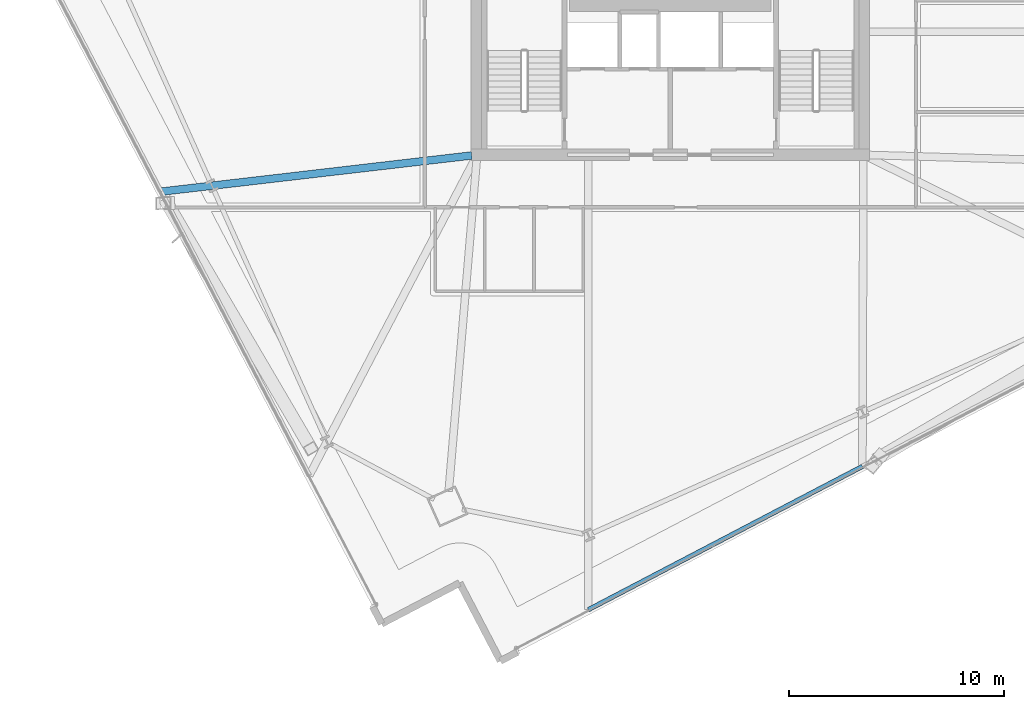
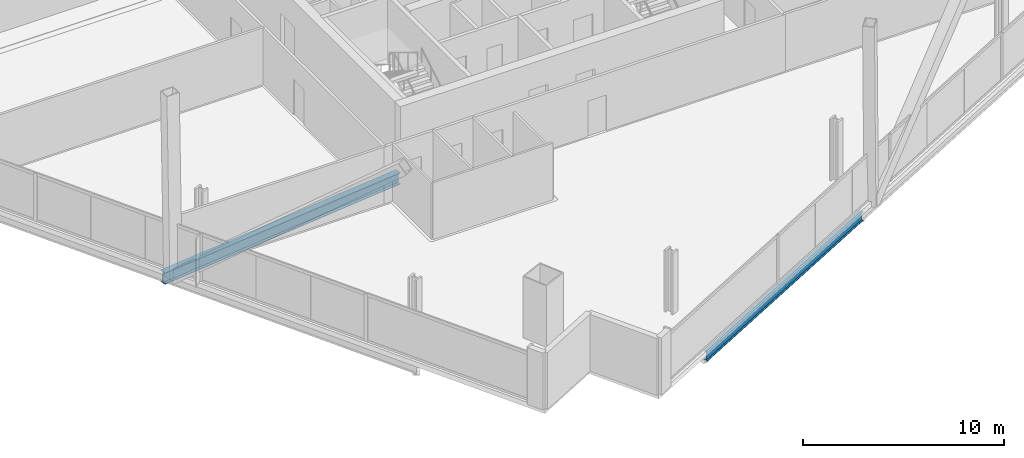
# One storey, part 6 of 33: 2 beams.
"""IFC4 building model written with IfcOpenShell, lengths in metres."""

from ifc_helpers import new_model, si_unit, direction, frame, origin, origin_2d, place, context, subcontext, project, spatial, i_section, extrude, material, material_profile, profile_set, type_object, element, save


model = new_model("IFC4")

# Units and contexts
model_context = context("Model", 3, precision=1e-05, world=origin(), true_north=direction((0.0, 1.0)))
body_context = subcontext(model_context, "Body", "Model", "MODEL_VIEW")
ifc_project = project(units=[si_unit("LENGTHUNIT", "METRE"), si_unit("AREAUNIT", "SQUARE_METRE"), si_unit("VOLUMEUNIT", "CUBIC_METRE"), si_unit("PLANEANGLEUNIT", "RADIAN"), si_unit("MASSUNIT", "GRAM", prefix="KILO")], contexts=[model_context])

# Site, building, storey
site_placement = place(None, origin())
site = spatial("IfcSite", under=ifc_project, at=site_placement, CompositionType="ELEMENT")
building_placement = place(site_placement, origin())
building = spatial("IfcBuilding", under=site, at=building_placement, Name="Haldenkirk Collegiate Tower", CompositionType="ELEMENT")
storey_placement = place(building_placement, frame((0.0, 0.0, 120.449951171875)))
storey = spatial("IfcBuildingStorey", under=building, at=storey_placement, Name="L29", CompositionType="ELEMENT", Elevation=120.449951171875)

# Beams
ifc_material = material(Name="Steel ASTM A992 Grade 50", Category="steel")
ifc_material_profile_1 = material_profile(ifc_material, i_section(OverallWidth=0.35498046875, OverallDepth=0.696044921875, WebThickness=0.015380859375, FlangeThickness=0.02490234375, at=origin_2d()), Name="W27X146")
ifc_profile_set_1 = profile_set([ifc_material_profile_1], Name="Steel ASTM A992 Grade 50")
beam_type_1 = type_object("IfcBeamType", Name="BM-GIRDER-W27X146", PredefinedType="BEAM", material=ifc_profile_set_1)
beam_1_placement = place(storey_placement, frame((12.270751953125, 16.28466796875, -0.64794921875), z_axis=(0.993287251892, 0.115673831216, 0.0), x_axis=(-0.115673831216, 0.993287251892, 0.0)))
element("IfcBeam", 1, at=beam_1_placement, inside=storey, type_object=beam_type_1, Name="L29 primary floor girder 15", PredefinedType="BEAM", context=body_context, shape_type="SweptSolid", body=[
    extrude(i_section(OverallWidth=0.35498046875, OverallDepth=0.696044921875, WebThickness=0.015380859375, FlangeThickness=0.02490234375, at=origin_2d()), origin(), (0.0, 0.0, 1.0), 14.57373046875),
])
ifc_material_profile_2 = material_profile(ifc_material, i_section(OverallWidth=0.2119140625, OverallDepth=0.5439453125, WebThickness=0.01318359375, FlangeThickness=0.021240234375, at=origin_2d()), Name="W21X83")
ifc_profile_set_2 = profile_set([ifc_material_profile_2], Name="Steel ASTM A992 Grade 50")
beam_type_2 = type_object("IfcBeamType", Name="BM-SPANDREL-W21X83", PredefinedType="SPANDREL", material=ifc_profile_set_2)
beam_2_placement = place(storey_placement, frame((32.181396484375, -3.196533203125, -0.572021484375), z_axis=(0.88620299475, 0.463297153127, 0.0), x_axis=(-0.463297153127, 0.88620299475, 0.0)))
element("IfcBeam", 2, at=beam_2_placement, inside=storey, type_object=beam_type_2, Name="L29 outer facade edge beam 1A", PredefinedType="SPANDREL", context=body_context, shape_type="SweptSolid", body=[
    extrude(i_section(OverallWidth=0.2119140625, OverallDepth=0.5439453125, WebThickness=0.01318359375, FlangeThickness=0.021240234375, at=origin_2d()), origin(), (0.0, 0.0, 1.0), 14.409912109375),
])

save(model, "model.ifc")
